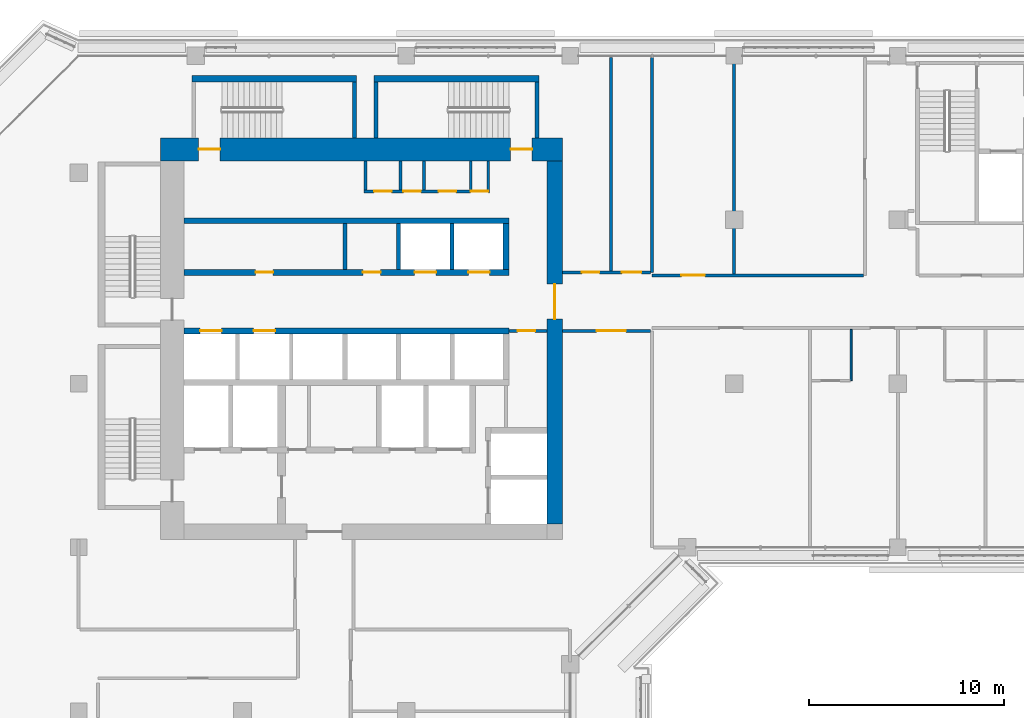
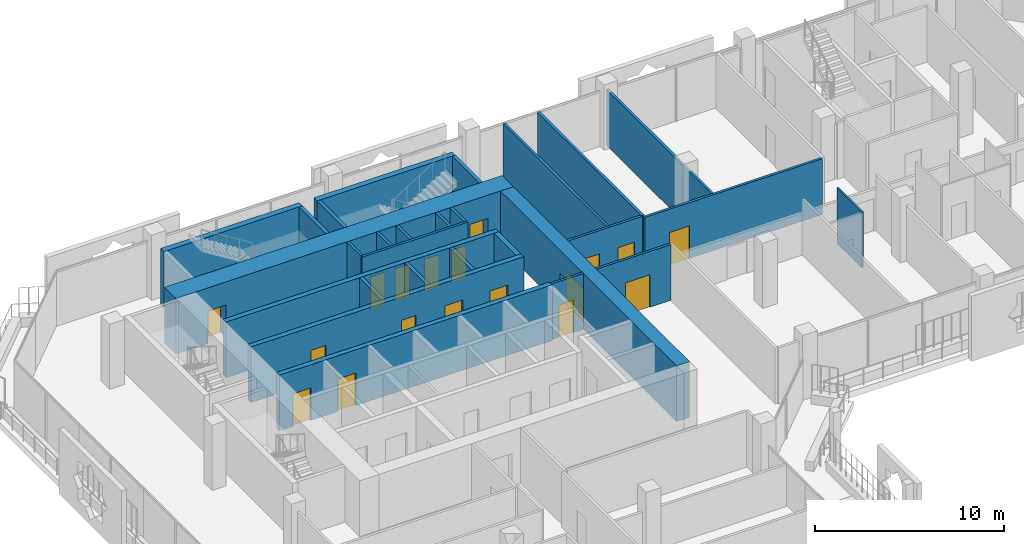
# One storey, part 12 of 22: 28 walls, 18 doors, 18 openings.
"""IFC4 building model written with IfcOpenShell, lengths in metres."""

from ifc_helpers import new_model, si_unit, direction, frame, frame_2d, origin, place, context, subcontext, project, spatial, rectangle, extrude, material, layer, layer_set, type_object, element, fill, save


model = new_model("IFC4")

# Units and contexts
model_context = context("Model", 3, precision=1e-05, world=origin(), true_north=direction((0.0, 1.0)))
body_context = subcontext(model_context, "Body", "Model", "MODEL_VIEW")
ifc_project = project(units=[si_unit("LENGTHUNIT", "METRE"), si_unit("AREAUNIT", "SQUARE_METRE"), si_unit("VOLUMEUNIT", "CUBIC_METRE"), si_unit("PLANEANGLEUNIT", "RADIAN"), si_unit("MASSUNIT", "GRAM", prefix="KILO")], contexts=[model_context])

# Site, building, storey
site_placement = place(None, origin())
site = spatial("IfcSite", under=ifc_project, at=site_placement, CompositionType="ELEMENT")
building_placement = place(site_placement, origin())
building = spatial("IfcBuilding", under=site, at=building_placement, Name="Kawkab Arch Medical Tower", CompositionType="ELEMENT")
storey_placement = place(building_placement, frame((0.0, 0.0, 255.800048828125)))
storey = spatial("IfcBuildingStorey", under=building, at=storey_placement, Name="L59", CompositionType="ELEMENT", Elevation=255.800048828125)

# Wall, openings, doors
ifc_material_1 = material(Name="Concrete C50/60", Category="concrete")
ifc_layer_1 = layer(ifc_material_1, 1.199951171875)
ifc_layer_set_1 = layer_set([ifc_layer_1], Name="Concrete C50/60")
wall_type_1 = type_object("IfcWallType", Name="Core ring wall 1200 C50/60", PredefinedType="SHEAR", material=ifc_layer_set_1)
wall_1_placement = place(storey_placement, frame((4.199951171875, -4.800048828125, 0.0), z_axis=(0.0, 0.0, 1.0), x_axis=(1.0, 0.0, 0.0)))
wall_1 = element("IfcWall", 1, at=wall_1_placement, inside=storey, type_object=wall_type_1, Name="L59 core wall", PredefinedType="SHEAR", context=body_context, shape_type="SweptSolid", body=[
    extrude(rectangle(XDim=20.60009765625, YDim=1.199951171875, at=frame_2d((10.300048828125, 0.0))), origin(), (0.0, 0.0, 1.0), 3.599853515625),
])
opening_1_placement = place(wall_1_placement, frame((1.949951171875, 0.0, 0.0)))
opening_1 = element("IfcOpeningElement", 2, at=opening_1_placement, cuts=wall_1, Name="Opening SD", PredefinedType="OPENING", context=body_context, shape_type="SweptSolid", body=[
    extrude(rectangle(XDim=1.10009765625, YDim=2.10009765625, at=frame_2d((0.550048828125, 1.050048828125))), frame((0.0, 0.60986328125, 0.0), z_axis=(0.0, -1.0, 0.0), x_axis=(1.0, 0.0, 0.0)), (0.0, 0.0, 1.0), 1.219970703125),
])
opening_2_placement = place(wall_1_placement, frame((17.949951171875, 0.0, 0.0)))
opening_2 = element("IfcOpeningElement", 3, at=opening_2_placement, cuts=wall_1, Name="Opening SD", PredefinedType="OPENING", context=body_context, shape_type="SweptSolid", body=[
    extrude(rectangle(XDim=1.10009765625, YDim=2.10009765625, at=frame_2d((0.550048828125, 1.050048828125))), frame((0.0, 0.60986328125, 0.0), z_axis=(0.0, -1.0, 0.0), x_axis=(1.0, 0.0, 0.0)), (0.0, 0.0, 1.0), 1.219970703125),
])
ifc_material_2 = material(Name="Hollow metal fire door leaf")
door_type_1 = type_object("IfcDoorType", Name="Exit stair door 1100", OperationType="SINGLE_SWING_LEFT", PredefinedType="DOOR", material=ifc_material_2)
door_1_placement = place(opening_1_placement, origin())
door_1 = element("IfcDoor", 4, at=door_1_placement, inside=storey, type_object=door_type_1, Name="L59 Exit stair ST3 door", OperationType="SINGLE_SWING_LEFT", OverallHeight=2.10009765625, OverallWidth=1.10009765625, PredefinedType="DOOR", context=body_context, shape_type="SweptSolid", body=[
    extrude(rectangle(XDim=1.10009765625, YDim=2.10009765625, at=frame_2d((0.550048828125, 1.050048828125))), frame((0.0, 0.02490234375, 0.0), z_axis=(0.0, -1.0, 0.0), x_axis=(1.0, 0.0, 0.0)), (0.0, 0.0, 1.0), 0.050048828125),
])
fill(opening_1, door_1)
door_2_placement = place(opening_2_placement, origin())
door_2 = element("IfcDoor", 5, at=door_2_placement, inside=storey, type_object=door_type_1, Name="L59 Exit stair ST4 door", OperationType="SINGLE_SWING_LEFT", OverallHeight=2.10009765625, OverallWidth=1.10009765625, PredefinedType="DOOR", context=body_context, shape_type="SweptSolid", body=[
    extrude(rectangle(XDim=1.10009765625, YDim=2.10009765625, at=frame_2d((0.550048828125, 1.050048828125))), frame((0.0, 0.02490234375, 0.0), z_axis=(0.0, -1.0, 0.0), x_axis=(1.0, 0.0, 0.0)), (0.0, 0.0, 1.0), 0.050048828125),
])
fill(opening_2, door_2)

# Wall, opening, door
ifc_material_3 = material(Name="Concrete C50/60", Category="concrete")
ifc_layer_2 = layer(ifc_material_3, 0.800048828125)
ifc_layer_set_2 = layer_set([ifc_layer_2], Name="Concrete C50/60")
wall_type_2 = type_object("IfcWallType", Name="Core ring wall 800 C50/60", PredefinedType="SHEAR", material=ifc_layer_set_2)
wall_2_placement = place(storey_placement, frame((24.39990234375, -24.0, 0.0), z_axis=(0.0, 0.0, 1.0), x_axis=(0.0, 1.0, 0.0)))
wall_2 = element("IfcWall", 6, at=wall_2_placement, inside=storey, type_object=wall_type_2, Name="L59 core wall", PredefinedType="SHEAR", context=body_context, shape_type="SweptSolid", body=[
    extrude(rectangle(XDim=18.60009765625, YDim=0.800048828125, at=frame_2d((9.300048828125, 0.0))), origin(), (0.0, 0.0, 1.0), 3.599853515625),
])
opening_3_placement = place(wall_2_placement, frame((10.5, 0.0, 0.0)))
opening_3 = element("IfcOpeningElement", 7, at=opening_3_placement, cuts=wall_2, Name="Opening PD", PredefinedType="OPENING", context=body_context, shape_type="SweptSolid", body=[
    extrude(rectangle(XDim=1.800048828125, YDim=2.10009765625, at=frame_2d((0.89990234375, 1.050048828125))), frame((0.0, 0.409912109375, 0.0), z_axis=(0.0, -1.0, 0.0), x_axis=(1.0, 0.0, 0.0)), (0.0, 0.0, 1.0), 0.820068359375),
])
ifc_material_4 = material(Name="Hollow metal fire door leaf")
door_type_2 = type_object("IfcDoorType", Name="Core entrance doors 1800", OperationType="DOUBLE_DOOR_SINGLE_SWING", PredefinedType="DOOR", material=ifc_material_4)
door_3_placement = place(opening_3_placement, origin())
door_3 = element("IfcDoor", 8, at=door_3_placement, inside=storey, type_object=door_type_2, Name="L59 East entrance doors", OperationType="DOUBLE_DOOR_SINGLE_SWING", OverallHeight=2.10009765625, OverallWidth=1.800048828125, PredefinedType="DOOR", context=body_context, shape_type="SweptSolid", body=[
    extrude(rectangle(XDim=1.800048828125, YDim=2.10009765625, at=frame_2d((0.89990234375, 1.050048828125))), frame((0.0, 0.02490234375, 0.0), z_axis=(0.0, -1.0, 0.0), x_axis=(1.0, 0.0, 0.0)), (0.0, 0.0, 1.0), 0.050048828125),
])
fill(opening_3, door_3)

ifc_material_5 = material(Name="Gypsum board on steel studs", Category="steel")
ifc_layer_3 = layer(ifc_material_5, 0.14990234375)
ifc_layer_set_3 = layer_set([ifc_layer_3], Name="Gypsum board on steel studs")
wall_type_3 = type_object("IfcWallType", Name="Core room partition 150", PredefinedType="PARTITIONING", material=ifc_layer_set_3)
wall_3_placement = place(storey_placement, frame((22.050048828125, -14.10009765625, 0.0), z_axis=(0.0, 0.0, 1.0), x_axis=(1.0, 0.0, 0.0)))
wall_3 = element("IfcWall", 9, at=wall_3_placement, inside=storey, type_object=wall_type_3, Name="L59 core room partition", PredefinedType="PARTITIONING", context=body_context, shape_type="SweptSolid", body=[
    extrude(rectangle(XDim=1.949951171875, YDim=0.14990234375, at=frame_2d((0.97509765625, 0.0))), origin(), (0.0, 0.0, 1.0), 3.599853515625),
])
opening_4_placement = place(wall_3_placement, frame((0.449951171875, 0.0, 0.0)))
opening_4 = element("IfcOpeningElement", 10, at=opening_4_placement, cuts=wall_3, Name="Opening RD", PredefinedType="OPENING", context=body_context, shape_type="SweptSolid", body=[
    extrude(rectangle(XDim=0.89990234375, YDim=2.10009765625, at=frame_2d((0.449951171875, 1.050048828125))), frame((0.0, 0.0849609375, 0.0), z_axis=(0.0, -1.0, 0.0), x_axis=(1.0, 0.0, 0.0)), (0.0, 0.0, 1.0), 0.169921875),
])
ifc_material_6 = material(Name="Hollow metal fire door leaf")
door_type_3 = type_object("IfcDoorType", Name="Core room door 900", OperationType="SINGLE_SWING_LEFT", PredefinedType="DOOR", material=ifc_material_6)
door_4_placement = place(opening_4_placement, origin())
door_4 = element("IfcDoor", 11, at=door_4_placement, inside=storey, type_object=door_type_3, Name="L59 Ward pantry door", OperationType="SINGLE_SWING_LEFT", OverallHeight=2.10009765625, OverallWidth=0.89990234375, PredefinedType="DOOR", context=body_context, shape_type="SweptSolid", body=[
    extrude(rectangle(XDim=0.89990234375, YDim=2.10009765625, at=frame_2d((0.449951171875, 1.050048828125))), frame((0.0, 0.02490234375, 0.0), z_axis=(0.0, -1.0, 0.0), x_axis=(1.0, 0.0, 0.0)), (0.0, 0.0, 1.0), 0.050048828125),
])
fill(opening_4, door_4)

# Wall, openings, doors
wall_4_placement = place(storey_placement, frame((14.625, -6.949951171875, 0.0), z_axis=(0.0, 0.0, 1.0), x_axis=(1.0, 0.0, 0.0)))
wall_4 = element("IfcWall", 12, at=wall_4_placement, inside=storey, type_object=wall_type_3, Name="L59 core room partition", PredefinedType="PARTITIONING", context=body_context, shape_type="SweptSolid", body=[
    extrude(rectangle(XDim=6.449951171875, YDim=0.14990234375, at=frame_2d((3.22509765625, 0.0))), origin(), (0.0, 0.0, 1.0), 3.599853515625),
])
opening_5_placement = place(wall_4_placement, frame((0.52490234375, 0.0, 0.0)))
opening_5 = element("IfcOpeningElement", 13, at=opening_5_placement, cuts=wall_4, Name="Opening RD", PredefinedType="OPENING", context=body_context, shape_type="SweptSolid", body=[
    extrude(rectangle(XDim=0.89990234375, YDim=2.10009765625, at=frame_2d((0.449951171875, 1.050048828125))), frame((0.0, 0.0849609375, 0.0), z_axis=(0.0, -1.0, 0.0), x_axis=(1.0, 0.0, 0.0)), (0.0, 0.0, 1.0), 0.169921875),
])
opening_6_placement = place(wall_4_placement, frame((2.02490234375, 0.0, 0.0)))
opening_6 = element("IfcOpeningElement", 14, at=opening_6_placement, cuts=wall_4, Name="Opening RD", PredefinedType="OPENING", context=body_context, shape_type="SweptSolid", body=[
    extrude(rectangle(XDim=0.89990234375, YDim=2.10009765625, at=frame_2d((0.449951171875, 1.050048828125))), frame((0.0, 0.0849609375, 0.0), z_axis=(0.0, -1.0, 0.0), x_axis=(1.0, 0.0, 0.0)), (0.0, 0.0, 1.0), 0.169921875),
])
opening_7_placement = place(wall_4_placement, frame((3.824951171875, 0.0, 0.0)))
opening_7 = element("IfcOpeningElement", 15, at=opening_7_placement, cuts=wall_4, Name="Opening RD", PredefinedType="OPENING", context=body_context, shape_type="SweptSolid", body=[
    extrude(rectangle(XDim=0.89990234375, YDim=2.10009765625, at=frame_2d((0.449951171875, 1.050048828125))), frame((0.0, 0.0849609375, 0.0), z_axis=(0.0, -1.0, 0.0), x_axis=(1.0, 0.0, 0.0)), (0.0, 0.0, 1.0), 0.169921875),
])
opening_8_placement = place(wall_4_placement, frame((5.47509765625, 0.0, 0.0)))
opening_8 = element("IfcOpeningElement", 16, at=opening_8_placement, cuts=wall_4, Name="Opening RD", PredefinedType="OPENING", context=body_context, shape_type="SweptSolid", body=[
    extrude(rectangle(XDim=0.89990234375, YDim=2.10009765625, at=frame_2d((0.449951171875, 1.050048828125))), frame((0.0, 0.0849609375, 0.0), z_axis=(0.0, -1.0, 0.0), x_axis=(1.0, 0.0, 0.0)), (0.0, 0.0, 1.0), 0.169921875),
])
door_5_placement = place(opening_5_placement, origin())
door_5 = element("IfcDoor", 17, at=door_5_placement, inside=storey, type_object=door_type_3, Name="L59 Data room door", OperationType="SINGLE_SWING_LEFT", OverallHeight=2.10009765625, OverallWidth=0.89990234375, PredefinedType="DOOR", context=body_context, shape_type="SweptSolid", body=[
    extrude(rectangle(XDim=0.89990234375, YDim=2.10009765625, at=frame_2d((0.449951171875, 1.050048828125))), frame((0.0, 0.02490234375, 0.0), z_axis=(0.0, -1.0, 0.0), x_axis=(1.0, 0.0, 0.0)), (0.0, 0.0, 1.0), 0.050048828125),
])
fill(opening_5, door_5)
door_6_placement = place(opening_6_placement, origin())
door_6 = element("IfcDoor", 18, at=door_6_placement, inside=storey, type_object=door_type_3, Name="L59 Electrical riser room door", OperationType="SINGLE_SWING_LEFT", OverallHeight=2.10009765625, OverallWidth=0.89990234375, PredefinedType="DOOR", context=body_context, shape_type="SweptSolid", body=[
    extrude(rectangle(XDim=0.89990234375, YDim=2.10009765625, at=frame_2d((0.449951171875, 1.050048828125))), frame((0.0, 0.02490234375, 0.0), z_axis=(0.0, -1.0, 0.0), x_axis=(1.0, 0.0, 0.0)), (0.0, 0.0, 1.0), 0.050048828125),
])
fill(opening_6, door_6)
door_7_placement = place(opening_7_placement, origin())
door_7 = element("IfcDoor", 19, at=door_7_placement, inside=storey, type_object=door_type_3, Name="L59 Equipment store door", OperationType="SINGLE_SWING_LEFT", OverallHeight=2.10009765625, OverallWidth=0.89990234375, PredefinedType="DOOR", context=body_context, shape_type="SweptSolid", body=[
    extrude(rectangle(XDim=0.89990234375, YDim=2.10009765625, at=frame_2d((0.449951171875, 1.050048828125))), frame((0.0, 0.02490234375, 0.0), z_axis=(0.0, -1.0, 0.0), x_axis=(1.0, 0.0, 0.0)), (0.0, 0.0, 1.0), 0.050048828125),
])
fill(opening_7, door_7)
door_8_placement = place(opening_8_placement, origin())
door_8 = element("IfcDoor", 20, at=door_8_placement, inside=storey, type_object=door_type_3, Name="L59 General store door", OperationType="SINGLE_SWING_LEFT", OverallHeight=2.10009765625, OverallWidth=0.89990234375, PredefinedType="DOOR", context=body_context, shape_type="SweptSolid", body=[
    extrude(rectangle(XDim=0.89990234375, YDim=2.10009765625, at=frame_2d((0.449951171875, 1.050048828125))), frame((0.0, 0.02490234375, 0.0), z_axis=(0.0, -1.0, 0.0), x_axis=(1.0, 0.0, 0.0)), (0.0, 0.0, 1.0), 0.050048828125),
])
fill(opening_8, door_8)

# Walls
for number, where, z_axis, x_axis, name in (
    (21, (14.699951171875, -6.875, 0.0), (0.0, 0.0, 1.0), (0.0, 1.0, 0.0), "L59 core room partition"),
    (22, (16.5, -6.875, 0.0), (0.0, 0.0, 1.0), (0.0, 1.0, 0.0), "L59 core room partition"),
    (23, (17.699951171875, -6.875, 0.0), (0.0, 0.0, 1.0), (0.0, 1.0, 0.0), "L59 core room partition"),
    (24, (20.10009765625, -6.875, 0.0), (0.0, 0.0, 1.0), (0.0, 1.0, 0.0), "L59 core room partition"),
    (25, (21.0, -6.875, 0.0), (0.0, 0.0, 1.0), (0.0, 1.0, 0.0), "L59 core room partition"),
):
    element("IfcWall", number, at=place(storey_placement, frame(where, z_axis=z_axis, x_axis=x_axis)), inside=storey, type_object=wall_type_3, Name=name, PredefinedType="PARTITIONING", context=body_context, shape_type="SweptSolid", body=[
        extrude(rectangle(XDim=1.47509765625, YDim=0.14990234375, at=frame_2d((0.737548828125, 0.0))), origin(), (0.0, 0.0, 1.0), 3.599853515625),
    ])
ifc_material_7 = material(Name="Concrete C60/75", Category="concrete")
ifc_layer_4 = layer(ifc_material_7, 0.300048828125)
ifc_layer_set_4 = layer_set([ifc_layer_4], Name="Concrete C60/75")
wall_type_4 = type_object("IfcWallType", Name="Core shear wall 300 C60/75", PredefinedType="SHEAR", material=ifc_layer_set_4)
wall_5_placement = place(storey_placement, frame((5.39990234375, -8.449951171875, 0.0), z_axis=(0.0, 0.0, 1.0), x_axis=(1.0, 0.0, 0.0)))
element("IfcWall", 26, at=wall_5_placement, inside=storey, type_object=wall_type_4, Name="L59 core shear wall", PredefinedType="SHEAR", context=body_context, shape_type="SweptSolid", body=[
    extrude(rectangle(XDim=16.650146484375, YDim=0.300048828125, at=frame_2d((8.3251953125, 0.0))), origin(), (0.0, 0.0, 1.0), 3.599853515625),
])

# Wall, openings, doors
wall_6_placement = place(storey_placement, frame((5.39990234375, -11.10009765625, 0.0), z_axis=(0.0, 0.0, 1.0), x_axis=(1.0, 0.0, 0.0)))
wall_6 = element("IfcWall", 27, at=wall_6_placement, inside=storey, type_object=wall_type_4, Name="L59 core shear wall", PredefinedType="SHEAR", context=body_context, shape_type="SweptSolid", body=[
    extrude(rectangle(XDim=16.650146484375, YDim=0.300048828125, at=frame_2d((8.3251953125, 0.0))), origin(), (0.0, 0.0, 1.0), 3.599853515625),
])
opening_9_placement = place(wall_6_placement, frame((11.824951171875, 0.0, 0.0)))
opening_9 = element("IfcOpeningElement", 28, at=opening_9_placement, cuts=wall_6, Name="Opening LD1", PredefinedType="OPENING", context=body_context, shape_type="SweptSolid", body=[
    extrude(rectangle(XDim=1.10009765625, YDim=2.10009765625, at=frame_2d((0.550048828125, 1.050048828125))), frame((0.0, 0.159912109375, 0.0), z_axis=(0.0, -1.0, 0.0), x_axis=(1.0, 0.0, 0.0)), (0.0, 0.0, 1.0), 0.320068359375),
])
opening_10_placement = place(wall_6_placement, frame((14.574951171875, 0.0, 0.0)))
opening_10 = element("IfcOpeningElement", 29, at=opening_10_placement, cuts=wall_6, Name="Opening LD1", PredefinedType="OPENING", context=body_context, shape_type="SweptSolid", body=[
    extrude(rectangle(XDim=1.10009765625, YDim=2.10009765625, at=frame_2d((0.550048828125, 1.050048828125))), frame((0.0, 0.159912109375, 0.0), z_axis=(0.0, -1.0, 0.0), x_axis=(1.0, 0.0, 0.0)), (0.0, 0.0, 1.0), 0.320068359375),
])
opening_11_placement = place(wall_6_placement, frame((3.675048828125, 0.0, 0.0)))
opening_11 = element("IfcOpeningElement", 30, at=opening_11_placement, cuts=wall_6, Name="Opening RD", PredefinedType="OPENING", context=body_context, shape_type="SweptSolid", body=[
    extrude(rectangle(XDim=0.89990234375, YDim=2.10009765625, at=frame_2d((0.449951171875, 1.050048828125))), frame((0.0, 0.159912109375, 0.0), z_axis=(0.0, -1.0, 0.0), x_axis=(1.0, 0.0, 0.0)), (0.0, 0.0, 1.0), 0.320068359375),
])
opening_12_placement = place(wall_6_placement, frame((9.175048828125, 0.0, 0.0)))
opening_12 = element("IfcOpeningElement", 31, at=opening_12_placement, cuts=wall_6, Name="Opening RD", PredefinedType="OPENING", context=body_context, shape_type="SweptSolid", body=[
    extrude(rectangle(XDim=0.89990234375, YDim=2.10009765625, at=frame_2d((0.449951171875, 1.050048828125))), frame((0.0, 0.159912109375, 0.0), z_axis=(0.0, -1.0, 0.0), x_axis=(1.0, 0.0, 0.0)), (0.0, 0.0, 1.0), 0.320068359375),
])
door_9_placement = place(opening_11_placement, origin())
door_9 = element("IfcDoor", 32, at=door_9_placement, inside=storey, type_object=door_type_3, Name="L59 Clean utility room door", OperationType="SINGLE_SWING_LEFT", OverallHeight=2.10009765625, OverallWidth=0.89990234375, PredefinedType="DOOR", context=body_context, shape_type="SweptSolid", body=[
    extrude(rectangle(XDim=0.89990234375, YDim=2.10009765625, at=frame_2d((0.449951171875, 1.050048828125))), frame((0.0, 0.02490234375, 0.0), z_axis=(0.0, -1.0, 0.0), x_axis=(1.0, 0.0, 0.0)), (0.0, 0.0, 1.0), 0.050048828125),
])
fill(opening_11, door_9)
door_10_placement = place(opening_12_placement, origin())
door_10 = element("IfcDoor", 33, at=door_10_placement, inside=storey, type_object=door_type_3, Name="L59 General store door", OperationType="SINGLE_SWING_LEFT", OverallHeight=2.10009765625, OverallWidth=0.89990234375, PredefinedType="DOOR", context=body_context, shape_type="SweptSolid", body=[
    extrude(rectangle(XDim=0.89990234375, YDim=2.10009765625, at=frame_2d((0.449951171875, 1.050048828125))), frame((0.0, 0.02490234375, 0.0), z_axis=(0.0, -1.0, 0.0), x_axis=(1.0, 0.0, 0.0)), (0.0, 0.0, 1.0), 0.050048828125),
])
fill(opening_12, door_10)
ifc_material_8 = material(Name="Stainless steel lift door leaf", Category="steel")
door_type_4 = type_object("IfcDoorType", Name="Lift landing door 1100", OperationType="DOUBLE_DOOR_SLIDING", PredefinedType="DOOR", material=ifc_material_8)
door_11_placement = place(opening_9_placement, origin())
door_11 = element("IfcDoor", 34, at=door_11_placement, inside=storey, type_object=door_type_4, Name="L59 Lift landing door MP1", OperationType="DOUBLE_DOOR_SLIDING", OverallHeight=2.10009765625, OverallWidth=1.10009765625, PredefinedType="DOOR", context=body_context, shape_type="SweptSolid", body=[
    extrude(rectangle(XDim=1.10009765625, YDim=2.10009765625, at=frame_2d((0.550048828125, 1.050048828125))), frame((0.0, 0.02490234375, 0.0), z_axis=(0.0, -1.0, 0.0), x_axis=(1.0, 0.0, 0.0)), (0.0, 0.0, 1.0), 0.050048828125),
])
fill(opening_9, door_11)
door_12_placement = place(opening_10_placement, origin())
door_12 = element("IfcDoor", 35, at=door_12_placement, inside=storey, type_object=door_type_4, Name="L59 Lift landing door MP2", OperationType="DOUBLE_DOOR_SLIDING", OverallHeight=2.10009765625, OverallWidth=1.10009765625, PredefinedType="DOOR", context=body_context, shape_type="SweptSolid", body=[
    extrude(rectangle(XDim=1.10009765625, YDim=2.10009765625, at=frame_2d((0.550048828125, 1.050048828125))), frame((0.0, 0.02490234375, 0.0), z_axis=(0.0, -1.0, 0.0), x_axis=(1.0, 0.0, 0.0)), (0.0, 0.0, 1.0), 0.050048828125),
])
fill(opening_10, door_12)

wall_7_placement = place(storey_placement, frame((5.39990234375, -14.10009765625, 0.0), z_axis=(0.0, 0.0, 1.0), x_axis=(1.0, 0.0, 0.0)))
wall_7 = element("IfcWall", 36, at=wall_7_placement, inside=storey, type_object=wall_type_4, Name="L59 core shear wall", PredefinedType="SHEAR", context=body_context, shape_type="SweptSolid", body=[
    extrude(rectangle(XDim=16.650146484375, YDim=0.300048828125, at=frame_2d((8.3251953125, 0.0))), origin(), (0.0, 0.0, 1.0), 3.599853515625),
])
opening_13_placement = place(wall_7_placement, frame((0.824951171875, 0.0, 0.0)))
opening_13 = element("IfcOpeningElement", 37, at=opening_13_placement, cuts=wall_7, Name="Opening LD1", PredefinedType="OPENING", context=body_context, shape_type="SweptSolid", body=[
    extrude(rectangle(XDim=1.10009765625, YDim=2.10009765625, at=frame_2d((0.550048828125, 1.050048828125))), frame((0.0, 0.159912109375, 0.0), z_axis=(0.0, -1.0, 0.0), x_axis=(1.0, 0.0, 0.0)), (0.0, 0.0, 1.0), 0.320068359375),
])
opening_14_placement = place(wall_7_placement, frame((3.574951171875, 0.0, 0.0)))
opening_14 = element("IfcOpeningElement", 38, at=opening_14_placement, cuts=wall_7, Name="Opening LD1", PredefinedType="OPENING", context=body_context, shape_type="SweptSolid", body=[
    extrude(rectangle(XDim=1.10009765625, YDim=2.10009765625, at=frame_2d((0.550048828125, 1.050048828125))), frame((0.0, 0.159912109375, 0.0), z_axis=(0.0, -1.0, 0.0), x_axis=(1.0, 0.0, 0.0)), (0.0, 0.0, 1.0), 0.320068359375),
])
door_13_placement = place(opening_13_placement, origin())
door_13 = element("IfcDoor", 39, at=door_13_placement, inside=storey, type_object=door_type_4, Name="L59 Lift landing door MP3", OperationType="DOUBLE_DOOR_SLIDING", OverallHeight=2.10009765625, OverallWidth=1.10009765625, PredefinedType="DOOR", context=body_context, shape_type="SweptSolid", body=[
    extrude(rectangle(XDim=1.10009765625, YDim=2.10009765625, at=frame_2d((0.550048828125, 1.050048828125))), frame((0.0, 0.02490234375, 0.0), z_axis=(0.0, -1.0, 0.0), x_axis=(1.0, 0.0, 0.0)), (0.0, 0.0, 1.0), 0.050048828125),
])
fill(opening_13, door_13)
door_14_placement = place(opening_14_placement, origin())
door_14 = element("IfcDoor", 40, at=door_14_placement, inside=storey, type_object=door_type_4, Name="L59 Lift landing door MP4", OperationType="DOUBLE_DOOR_SLIDING", OverallHeight=2.10009765625, OverallWidth=1.10009765625, PredefinedType="DOOR", context=body_context, shape_type="SweptSolid", body=[
    extrude(rectangle(XDim=1.10009765625, YDim=2.10009765625, at=frame_2d((0.550048828125, 1.050048828125))), frame((0.0, 0.02490234375, 0.0), z_axis=(0.0, -1.0, 0.0), x_axis=(1.0, 0.0, 0.0)), (0.0, 0.0, 1.0), 0.050048828125),
])
fill(opening_14, door_14)

# Walls
wall_8_placement = place(storey_placement, frame((21.89990234375, -10.949951171875, 0.0), z_axis=(0.0, 0.0, 1.0), x_axis=(0.0, 1.0, 0.0)))
element("IfcWall", 41, at=wall_8_placement, inside=storey, type_object=wall_type_4, Name="L59 core shear wall", PredefinedType="SHEAR", context=body_context, shape_type="SweptSolid", body=[
    extrude(rectangle(XDim=2.349853515625, YDim=0.300048828125, at=frame_2d((1.1748046875, 0.0))), origin(), (0.0, 0.0, 1.0), 3.599853515625),
])
ifc_material_9 = material(Name="Dense concrete blockwork", Category="masonry")
ifc_layer_5 = layer(ifc_material_9, 0.199951171875)
ifc_layer_set_5 = layer_set([ifc_layer_5], Name="Dense concrete blockwork")
wall_type_5 = type_object("IfcWallType", Name="Lift shaft partition 200", PredefinedType="PARTITIONING", material=ifc_layer_set_5)
for number, where, z_axis, x_axis, name in (
    (42, (13.64990234375, -10.949951171875, 0.0), (0.0, 0.0, 1.0), (0.0, 1.0, 0.0), "L59 lift shaft partition"),
    (43, (16.39990234375, -10.949951171875, 0.0), (0.0, 0.0, 1.0), (0.0, 1.0, 0.0), "L59 lift shaft partition"),
    (44, (19.14990234375, -10.949951171875, 0.0), (0.0, 0.0, 1.0), (0.0, 1.0, 0.0), "L59 lift shaft partition"),
):
    element("IfcWall", number, at=place(storey_placement, frame(where, z_axis=z_axis, x_axis=x_axis)), inside=storey, type_object=wall_type_5, Name=name, PredefinedType="PARTITIONING", context=body_context, shape_type="SweptSolid", body=[
        extrude(rectangle(XDim=2.349853515625, YDim=0.199951171875, at=frame_2d((1.1748046875, 0.0))), origin(), (0.0, 0.0, 1.0), 3.599853515625),
    ])
ifc_material_10 = material(Name="Gypsum board partition on steel studs", Category="steel")
ifc_layer_6 = layer(ifc_material_10, 0.10009765625)
ifc_layer_set_6 = layer_set([ifc_layer_6], Name="Gypsum board partition on steel studs")
wall_type_6 = type_object("IfcWallType", Name="Partition 100", PredefinedType="PARTITIONING", material=ifc_layer_set_6)
wall_9_placement = place(storey_placement, frame((39.60009765625, -16.64990234375, 0.0), z_axis=(0.0, 0.0, 1.0), x_axis=(0.0, 1.0, 0.0)))
element("IfcWall", 45, at=wall_9_placement, inside=storey, type_object=wall_type_6, Name="Partition 100 w004", PredefinedType="PARTITIONING", context=body_context, shape_type="SweptSolid", body=[
    extrude(rectangle(XDim=2.625, YDim=0.10009765625, at=frame_2d((1.3125, 0.0))), origin(), (0.0, 0.0, 1.0), 3.599853515625),
])

# Wall, opening, door
ifc_material_11 = material(Name="Gypsum board partition on steel studs, mineral wool", Category="steel")
ifc_layer_7 = layer(ifc_material_11, 0.14990234375)
ifc_layer_set_7 = layer_set([ifc_layer_7], Name="Gypsum board partition on steel studs, mineral wool")
wall_type_7 = type_object("IfcWallType", Name="Partition 150", PredefinedType="PARTITIONING", material=ifc_layer_set_7)
wall_10_placement = place(storey_placement, frame((24.800048828125, -14.10009765625, 0.0), z_axis=(0.0, 0.0, 1.0), x_axis=(1.0, 0.0, 0.0)))
wall_10 = element("IfcWall", 46, at=wall_10_placement, inside=storey, type_object=wall_type_7, Name="Partition 150 w020", PredefinedType="PARTITIONING", context=body_context, shape_type="SweptSolid", body=[
    extrude(rectangle(XDim=4.52490234375, YDim=0.14990234375, at=frame_2d((2.262451171875, 0.0))), origin(), (0.0, 0.0, 1.0), 3.599853515625),
])
opening_15_placement = place(wall_10_placement, frame((1.75, 0.0, 0.0)))
opening_15 = element("IfcOpeningElement", 47, at=opening_15_placement, cuts=wall_10, Name="Opening W54-001", PredefinedType="OPENING", context=body_context, shape_type="SweptSolid", body=[
    extrude(rectangle(XDim=1.5, YDim=2.10009765625, at=frame_2d((0.75, 1.050048828125))), frame((0.0, 0.0849609375, 0.0), z_axis=(0.0, -1.0, 0.0), x_axis=(1.0, 0.0, 0.0)), (0.0, 0.0, 1.0), 0.169921875),
])
ifc_material_12 = material(Name="Hollow metal door leaf")
door_type_5 = type_object("IfcDoorType", Name="Double door 1500x2100 FD30S", OperationType="NOTDEFINED", PredefinedType="DOOR", material=ifc_material_12)
door_15_placement = place(opening_15_placement, origin())
door_15 = element("IfcDoor", 48, at=door_15_placement, inside=storey, type_object=door_type_5, Name="Door W54-001", OperationType="DOUBLE_DOOR_SINGLE_SWING", OverallHeight=2.10009765625, OverallWidth=1.5, PredefinedType="DOOR", context=body_context, shape_type="SweptSolid", body=[
    extrude(rectangle(XDim=1.5, YDim=2.10009765625, at=frame_2d((0.75, 1.050048828125))), frame((0.0, 0.02490234375, 0.0), z_axis=(0.0, -1.0, 0.0), x_axis=(1.0, 0.0, 0.0)), (0.0, 0.0, 1.0), 0.050048828125),
])
fill(opening_15, door_15)

wall_11_placement = place(storey_placement, frame((29.39990234375, -11.25, 0.0), z_axis=(0.0, 0.0, 1.0), x_axis=(1.0, 0.0, 0.0)))
wall_11 = element("IfcWall", 49, at=wall_11_placement, inside=storey, type_object=wall_type_7, Name="Partition 150 w022", PredefinedType="PARTITIONING", context=body_context, shape_type="SweptSolid", body=[
    extrude(rectangle(XDim=10.83203125, YDim=0.14990234375, at=frame_2d((5.416015625, 0.0))), origin(), (0.0, 0.0, 1.0), 3.599853515625),
])
opening_16_placement = place(wall_11_placement, frame((1.5, 0.0, 0.0)))
opening_16 = element("IfcOpeningElement", 50, at=opening_16_placement, cuts=wall_11, Name="Opening W54-028", PredefinedType="OPENING", context=body_context, shape_type="SweptSolid", body=[
    extrude(rectangle(XDim=1.199951171875, YDim=2.10009765625, at=frame_2d((0.60009765625, 1.050048828125))), frame((0.0, 0.0849609375, 0.0), z_axis=(0.0, -1.0, 0.0), x_axis=(1.0, 0.0, 0.0)), (0.0, 0.0, 1.0), 0.169921875),
])
ifc_material_13 = material(Name="Hollow metal door leaf")
door_type_6 = type_object("IfcDoorType", Name="Single door 1200x2100 FD30S", OperationType="NOTDEFINED", PredefinedType="DOOR", material=ifc_material_13)
door_16_placement = place(opening_16_placement, origin())
door_16 = element("IfcDoor", 51, at=door_16_placement, inside=storey, type_object=door_type_6, Name="Door W54-028", OperationType="SINGLE_SWING_LEFT", OverallHeight=2.10009765625, OverallWidth=1.199951171875, PredefinedType="DOOR", context=body_context, shape_type="SweptSolid", body=[
    extrude(rectangle(XDim=1.199951171875, YDim=2.10009765625, at=frame_2d((0.60009765625, 1.050048828125))), frame((0.0, 0.02490234375, 0.0), z_axis=(0.0, -1.0, 0.0), x_axis=(1.0, 0.0, 0.0)), (0.0, 0.0, 1.0), 0.050048828125),
])
fill(opening_16, door_16)

# Wall, openings, doors
wall_12_placement = place(storey_placement, frame((24.800048828125, -11.10009765625, 0.0), z_axis=(0.0, 0.0, 1.0), x_axis=(1.0, 0.0, 0.0)))
wall_12 = element("IfcWall", 52, at=wall_12_placement, inside=storey, type_object=wall_type_7, Name="Partition 150 w025", PredefinedType="PARTITIONING", context=body_context, shape_type="SweptSolid", body=[
    extrude(rectangle(XDim=4.52490234375, YDim=0.14990234375, at=frame_2d((2.262451171875, 0.0))), origin(), (0.0, 0.0, 1.0), 3.599853515625),
])
opening_17_placement = place(wall_12_placement, frame((1.0, 0.0, 0.0)))
opening_17 = element("IfcOpeningElement", 53, at=opening_17_placement, cuts=wall_12, Name="Opening W54-007", PredefinedType="OPENING", context=body_context, shape_type="SweptSolid", body=[
    extrude(rectangle(XDim=0.89990234375, YDim=2.10009765625, at=frame_2d((0.449951171875, 1.050048828125))), frame((0.0, 0.0849609375, 0.0), z_axis=(0.0, -1.0, 0.0), x_axis=(1.0, 0.0, 0.0)), (0.0, 0.0, 1.0), 0.169921875),
])
opening_18_placement = place(wall_12_placement, frame((3.050048828125, 0.0, 0.0)))
opening_18 = element("IfcOpeningElement", 54, at=opening_18_placement, cuts=wall_12, Name="Opening W54-008", PredefinedType="OPENING", context=body_context, shape_type="SweptSolid", body=[
    extrude(rectangle(XDim=1.0, YDim=2.10009765625, at=frame_2d((0.5, 1.050048828125))), frame((0.0, 0.0849609375, 0.0), z_axis=(0.0, -1.0, 0.0), x_axis=(1.0, 0.0, 0.0)), (0.0, 0.0, 1.0), 0.169921875),
])
ifc_material_14 = material(Name="Timber door leaf", Category="wood")
door_type_7 = type_object("IfcDoorType", Name="Single door 1000x2100", OperationType="NOTDEFINED", PredefinedType="DOOR", material=ifc_material_14)
door_17_placement = place(opening_18_placement, origin())
door_17 = element("IfcDoor", 55, at=door_17_placement, inside=storey, type_object=door_type_7, Name="Door W54-008", OperationType="SINGLE_SWING_RIGHT", OverallHeight=2.10009765625, OverallWidth=1.0, PredefinedType="DOOR", context=body_context, shape_type="SweptSolid", body=[
    extrude(rectangle(XDim=1.0, YDim=2.10009765625, at=frame_2d((0.5, 1.050048828125))), frame((0.0, 0.02490234375, 0.0), z_axis=(0.0, -1.0, 0.0), x_axis=(1.0, 0.0, 0.0)), (0.0, 0.0, 1.0), 0.050048828125),
])
fill(opening_18, door_17)
ifc_material_15 = material(Name="Timber door leaf", Category="wood")
door_type_8 = type_object("IfcDoorType", Name="Single door 900x2100", OperationType="NOTDEFINED", PredefinedType="DOOR", material=ifc_material_15)
door_18_placement = place(opening_17_placement, origin())
door_18 = element("IfcDoor", 56, at=door_18_placement, inside=storey, type_object=door_type_8, Name="Door W54-007", OperationType="SINGLE_SWING_LEFT", OverallHeight=2.10009765625, OverallWidth=0.89990234375, PredefinedType="DOOR", context=body_context, shape_type="SweptSolid", body=[
    extrude(rectangle(XDim=0.89990234375, YDim=2.10009765625, at=frame_2d((0.449951171875, 1.050048828125))), frame((0.0, 0.02490234375, 0.0), z_axis=(0.0, -1.0, 0.0), x_axis=(1.0, 0.0, 0.0)), (0.0, 0.0, 1.0), 0.050048828125),
])
fill(opening_17, door_18)

# Walls
wall_13_placement = place(storey_placement, frame((27.300048828125, -11.02490234375, 0.0), z_axis=(0.0, 0.0, 1.0), x_axis=(0.0, 1.0, 0.0)))
element("IfcWall", 57, at=wall_13_placement, inside=storey, type_object=wall_type_7, Name="Partition 150 w043", PredefinedType="PARTITIONING", context=body_context, shape_type="SweptSolid", body=[
    extrude(rectangle(XDim=10.94482421875, YDim=0.14990234375, at=frame_2d((5.472412109375, 0.0))), origin(), (0.0, 0.0, 1.0), 3.599853515625),
])
wall_14_placement = place(storey_placement, frame((29.39990234375, -11.10009765625, 0.0), z_axis=(0.0, 0.0, 1.0), x_axis=(0.0, 1.0, 0.0)))
element("IfcWall", 58, at=wall_14_placement, inside=storey, type_object=wall_type_7, Name="Partition 150 w045", PredefinedType="PARTITIONING", context=body_context, shape_type="SweptSolid", body=[
    extrude(rectangle(XDim=11.02001953125, YDim=0.14990234375, at=frame_2d((5.510009765625, 0.0))), origin(), (0.0, 0.0, 1.0), 3.599853515625),
])
wall_15_placement = place(storey_placement, frame((33.60009765625, -11.175048828125, 0.0), z_axis=(0.0, 0.0, 1.0), x_axis=(0.0, 1.0, 0.0)))
element("IfcWall", 59, at=wall_15_placement, inside=storey, type_object=wall_type_7, Name="Partition 150 w046", PredefinedType="PARTITIONING", context=body_context, shape_type="SweptSolid", body=[
    extrude(rectangle(XDim=11.094970703125, YDim=0.14990234375, at=frame_2d((5.54736328125, 0.0))), origin(), (0.0, 0.0, 1.0), 3.599853515625),
])
ifc_material_16 = material(Name="Concrete C50/60", Category="concrete")
ifc_layer_8 = layer(ifc_material_16, 0.199951171875)
ifc_layer_set_8 = layer_set([ifc_layer_8], Name="Concrete C50/60")
wall_type_8 = type_object("IfcWallType", Name="Stair enclosure wall 200 C50/60", PredefinedType="SHEAR", material=ifc_layer_set_8)
for number, where, z_axis, x_axis, name in (
    (60, (14.14990234375, -4.199951171875, 0.0), (0.0, 0.0, 1.0), (0.0, 1.0, 0.0), "L59 stair enclosure wall"),
    (61, (15.25, -4.199951171875, 0.0), (0.0, 0.0, 1.0), (0.0, 1.0, 0.0), "L59 stair enclosure wall"),
    (62, (23.5, -4.199951171875, 0.0), (0.0, 0.0, 1.0), (0.0, 1.0, 0.0), "L59 stair enclosure wall"),
):
    element("IfcWall", number, at=place(storey_placement, frame(where, z_axis=z_axis, x_axis=x_axis)), inside=storey, type_object=wall_type_8, Name=name, PredefinedType="SHEAR", context=body_context, shape_type="SweptSolid", body=[
        extrude(rectangle(XDim=2.849853515625, YDim=0.199951171875, at=frame_2d((1.4248046875, 0.0))), origin(), (0.0, 0.0, 1.0), 3.599853515625),
    ])
ifc_material_17 = material(Name="Concrete C50/60", Category="concrete")
ifc_layer_9 = layer(ifc_material_17, 0.35009765625)
ifc_layer_set_9 = layer_set([ifc_layer_9], Name="Concrete C50/60")
wall_type_9 = type_object("IfcWallType", Name="Stair enclosure wall 350 C50/60", PredefinedType="SHEAR", material=ifc_layer_set_9)
wall_16_placement = place(storey_placement, frame((5.800048828125, -1.175048828125, 0.0), z_axis=(0.0, 0.0, 1.0), x_axis=(1.0, 0.0, 0.0)))
element("IfcWall", 63, at=wall_16_placement, inside=storey, type_object=wall_type_9, Name="L59 stair enclosure wall", PredefinedType="SHEAR", context=body_context, shape_type="SweptSolid", body=[
    extrude(rectangle(XDim=8.449951171875, YDim=0.35009765625, at=frame_2d((4.22509765625, 0.0))), origin(), (0.0, 0.0, 1.0), 3.599853515625),
])
wall_17_placement = place(storey_placement, frame((15.14990234375, -1.175048828125, 0.0), z_axis=(0.0, 0.0, 1.0), x_axis=(1.0, 0.0, 0.0)))
element("IfcWall", 64, at=wall_17_placement, inside=storey, type_object=wall_type_9, Name="L59 stair enclosure wall", PredefinedType="SHEAR", context=body_context, shape_type="SweptSolid", body=[
    extrude(rectangle(XDim=8.4501953125, YDim=0.35009765625, at=frame_2d((4.22509765625, 0.0))), origin(), (0.0, 0.0, 1.0), 3.599853515625),
])

save(model, "model.ifc")
